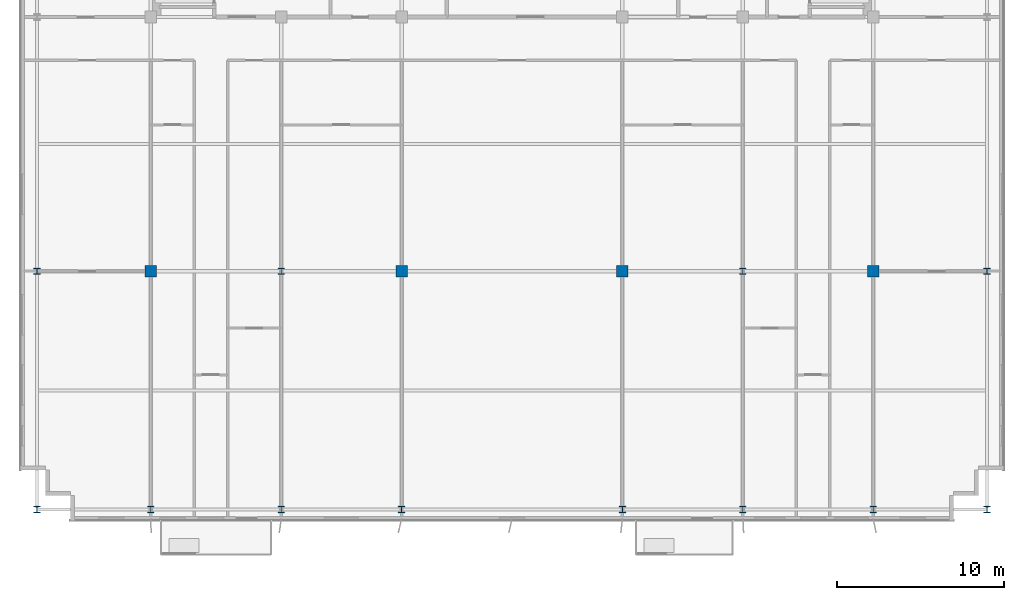
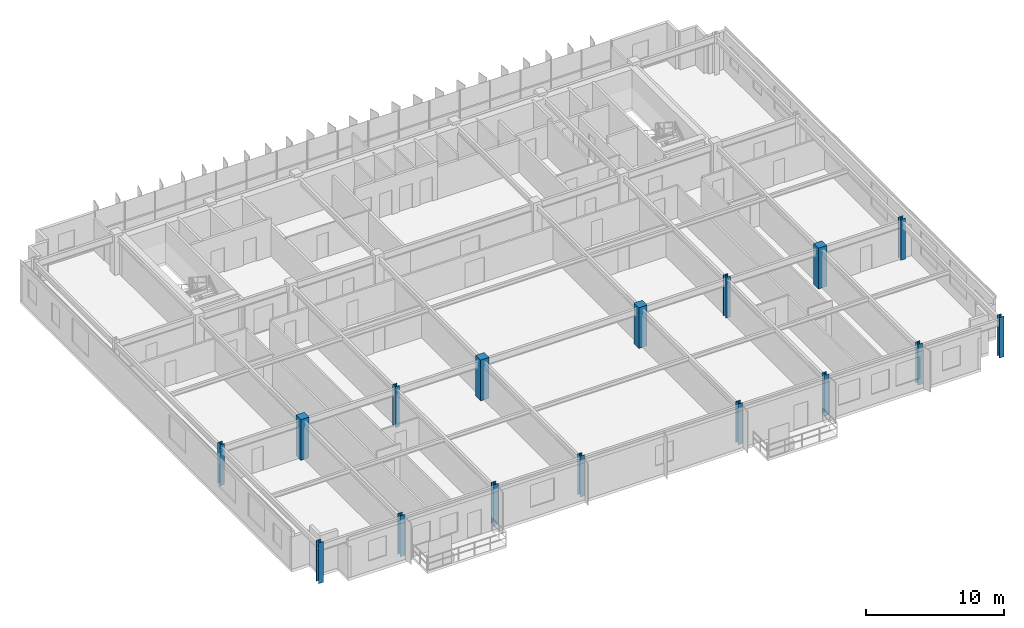
# One storey, part 1 of 20: 16 columns.
"""IFC4 building model written with IfcOpenShell, lengths in metres."""

import ifcopenshell
import ifcopenshell.guid

model = None  # the IFC model being written
_history = None  # IfcOwnerHistory: only IFC2X3 demands one
_inside = {}  # id of a spatial element -> (the spatial element, [elements in it])
_under = {}  # id of a project, library or spatial element -> (it, [spatial elements below it])
_declared = {}  # id of a project -> (the project, [libraries it declares])
_typed = {}  # id of a type object -> (the type object, [elements of that type])
_made_of = {}  # id of a material, layer set ... -> (it, [elements and type objects made of it])


def new_model(schema):
    """Start an empty IFC model of exactly this schema.

    Asked for "IFC4X3", IfcOpenShell would pick the latest addendum, in which some entities
    have other attributes; the version numbers below select the first issue.
    IFC2X3 requires an IfcOwnerHistory on every rooted entity: one is made here for all.
    """
    global model, _history
    if schema == "IFC4X3":
        model = ifcopenshell.file(schema_version=(4, 3, 0, 0))
    else:
        model = ifcopenshell.file(schema=schema)
    _inside.clear()
    _under.clear()
    _declared.clear()
    _typed.clear()
    _made_of.clear()
    _history = None
    if model.schema == "IFC2X3":
        org = make("IfcOrganization", Name="unknown")
        user = make(
            "IfcPersonAndOrganization",
            ThePerson=make("IfcPerson", FamilyName="unknown"),
            TheOrganization=org,
        )
        app = make(
            "IfcApplication",
            ApplicationDeveloper=org,
            Version="unknown",
            ApplicationFullName="unknown",
            ApplicationIdentifier="unknown",
        )
        _history = make(
            "IfcOwnerHistory",
            OwningUser=user,
            OwningApplication=app,
            ChangeAction="ADDED",
            CreationDate=0,
        )
    return model


def make(cls, **values):
    """One entity of the class cls with the attributes given. An attribute that is None is left unset."""
    return model.create_entity(
        cls, **{name: value for name, value in values.items() if value is not None}
    )


def rooted(cls, **values):
    """An entity with a GlobalId (a new one), such as an element, a storey or a relation."""
    return make(cls, GlobalId=ifcopenshell.guid.new(), OwnerHistory=_history, **values)


def si_unit(unit_type, name, prefix=None):
    """IfcSIUnit, for example si_unit("LENGTHUNIT", "METRE", prefix="MILLI")."""
    return make("IfcSIUnit", UnitType=unit_type, Prefix=prefix, Name=name)


def assignment(units):
    """IfcUnitAssignment: the units of a project."""
    return None if units is None else make("IfcUnitAssignment", Units=units)


def point(xyz):
    """IfcCartesianPoint."""
    return None if xyz is None else make("IfcCartesianPoint", Coordinates=xyz)


def direction(xyz):
    """IfcDirection."""
    return None if xyz is None else make("IfcDirection", DirectionRatios=xyz)


def frame(location, z_axis=None, x_axis=None):
    """IfcAxis2Placement3D, a coordinate frame: its origin and axes. An axis left out is left unset."""
    return make(
        "IfcAxis2Placement3D",
        Location=point(location),
        Axis=direction(z_axis),
        RefDirection=direction(x_axis),
    )


def frame_2d(location, x_axis=None):
    """IfcAxis2Placement2D, a coordinate frame in the plane: its origin and x axis."""
    return make(
        "IfcAxis2Placement2D", Location=point(location), RefDirection=direction(x_axis)
    )


def origin():
    """The frame at (0, 0, 0) with its axes left unset."""
    return frame((0.0, 0.0, 0.0))


def origin_2d():
    """The frame at (0, 0) in the plane with its x axis left unset."""
    return frame_2d((0.0, 0.0))


def place(relative_to, where):
    """IfcLocalPlacement: puts the frame where relative to a parent placement (None: the world)."""
    return make(
        "IfcLocalPlacement", PlacementRelTo=relative_to, RelativePlacement=where
    )


def context(
    kind, dimensions, precision=None, world=None, true_north=None, identifier=None
):
    """IfcGeometricRepresentationContext, for example the 3D "Model" context."""
    return make(
        "IfcGeometricRepresentationContext",
        ContextIdentifier=identifier,
        ContextType=kind,
        CoordinateSpaceDimension=dimensions,
        Precision=precision,
        WorldCoordinateSystem=world,
        TrueNorth=true_north,
    )


def subcontext(parent, identifier, kind, view, scale=None):
    """IfcGeometricRepresentationSubContext, for example "Body" below "Model"."""
    return make(
        "IfcGeometricRepresentationSubContext",
        ContextIdentifier=identifier,
        ContextType=kind,
        ParentContext=parent,
        TargetScale=scale,
        TargetView=view,
    )


def project(units=None, contexts=None):
    """IfcProject with its units and contexts."""
    return rooted(
        "IfcProject",
        Name="project",
        RepresentationContexts=contexts,
        UnitsInContext=assignment(units),
    )


def spatial(cls, under=None, at=None, **own):
    """A site, building, storey or space (cls), placed at a placement, below another one or the project."""
    s = rooted(cls, ObjectPlacement=at, **own)
    if under is not None:
        _under.setdefault(under.id(), (under, []))[1].append(s)
    return s


def profile(cls, at=None, kind="AREA", **sizes):
    """A parametric profile (cls). Its sizes go by their IFC names, for example OverallWidth=200.0."""
    return make(cls, ProfileType=kind, Position=at, **sizes)


def rectangle(**sizes):
    """IfcRectangleProfileDef."""
    return profile("IfcRectangleProfileDef", **sizes)


def i_section(**sizes):
    """IfcIShapeProfileDef."""
    return profile("IfcIShapeProfileDef", **sizes)


def extrude(swept, where, along, depth):
    """IfcExtrudedAreaSolid: the profile swept, set in the frame where, extruded along a direction by depth."""
    return make(
        "IfcExtrudedAreaSolid",
        SweptArea=swept,
        Position=where,
        ExtrudedDirection=direction(along),
        Depth=depth,
    )


def shape(context_of_items, identifier, shape_type, items):
    """IfcShapeRepresentation: the items that make up one representation, for example the "Body"."""
    return make(
        "IfcShapeRepresentation",
        ContextOfItems=context_of_items,
        RepresentationIdentifier=identifier,
        RepresentationType=shape_type,
        Items=items,
    )


def source(mapping_origin, context_of_items, identifier, shape_type, items):
    """IfcRepresentationMap: a shape defined once, which mapped items show again and again."""
    return make(
        "IfcRepresentationMap",
        MappingOrigin=mapping_origin,
        MappedRepresentation=shape(context_of_items, identifier, shape_type, items),
    )


def transform(
    local_origin,
    x_axis=None,
    y_axis=None,
    z_axis=None,
    scale=None,
    scale2=None,
    scale3=None,
    uniform=True,
):
    """IfcCartesianTransformationOperator3D, or its non-uniform kind. x_axis, y_axis, z_axis: its Axis1, 2, 3."""
    if uniform:
        return make(
            "IfcCartesianTransformationOperator3D",
            Axis1=direction(x_axis),
            Axis2=direction(y_axis),
            LocalOrigin=point(local_origin),
            Scale=scale,
            Axis3=direction(z_axis),
        )
    return make(
        "IfcCartesianTransformationOperator3DnonUniform",
        Axis1=direction(x_axis),
        Axis2=direction(y_axis),
        LocalOrigin=point(local_origin),
        Scale=scale,
        Axis3=direction(z_axis),
        Scale2=scale2,
        Scale3=scale3,
    )


def mapped(mapping_source, mapping_target):
    """IfcMappedItem: shows the shape of a source again, moved by a transform."""
    return make(
        "IfcMappedItem", MappingSource=mapping_source, MappingTarget=mapping_target
    )


def material(Name=None, Category=None):
    """IfcMaterial."""
    return make("IfcMaterial", Name=Name, Category=Category)


def material_profile(
    of_material, cross_section, Name=None, Category=None, Priority=None
):
    """IfcMaterialProfile: a cross section and its material."""
    return make(
        "IfcMaterialProfile",
        Name=Name,
        Material=of_material,
        Profile=cross_section,
        Priority=Priority,
        Category=Category,
    )


def profile_set(profiles, Name=None, composite=None):
    """IfcMaterialProfileSet."""
    return make(
        "IfcMaterialProfileSet",
        Name=Name,
        MaterialProfiles=profiles,
        CompositeProfile=composite,
    )


def made_of(thing, what):
    """Note that an element or type object is made of a material, layer set ...; save() writes the relation."""
    if what is not None:
        _made_of.setdefault(what.id(), (what, []))[1].append(thing)
    return thing


def type_object(cls, material=None, **own):
    """A type object (cls), such as IfcWallType, which elements share."""
    return made_of(rooted(cls, **own), material)


def element(
    cls,
    number,
    at=None,
    inside=None,
    cuts=None,
    type_object=None,
    material=None,
    context=None,
    identifier="Body",
    shape_type=None,
    held_by="IfcProductDefinitionShape",
    body=None,
    shapes=None,
    **own,
):
    """One element of the class cls, such as IfcWall. Its Tag is "e" and its number.

    at: its placement. inside: the storey or other place that contains it. cuts: it is an
    opening in that element (IfcRelVoidsElement). A single representation is given by context,
    identifier, shape_type and body (its items); several are given by shapes. held_by: the class
    of the entity that holds the representations. save() writes the other relations.
    """
    e = rooted(cls, Tag="e%d" % number, ObjectPlacement=at, **own)
    if body is not None:
        shapes = [shape(context, identifier, shape_type, body)]
    if shapes is not None:
        e.Representation = make(held_by, Representations=shapes)
    if inside is not None:
        _inside.setdefault(inside.id(), (inside, []))[1].append(e)
    if cuts is not None:
        rooted(
            "IfcRelVoidsElement", RelatingBuildingElement=cuts, RelatedOpeningElement=e
        )
    if type_object is not None:
        _typed.setdefault(type_object.id(), (type_object, []))[1].append(e)
    return made_of(e, material)


def aggregate(whole, parts):
    """IfcRelAggregates: a whole, such as a stair, and the parts it consists of."""
    return rooted("IfcRelAggregates", RelatingObject=whole, RelatedObjects=parts)


def save(model, path):
    """Write the relations noted so far, then the file.

    IfcRelAggregates (storeys below a building ...), IfcRelContainedInSpatialStructure (elements
    in a storey), IfcRelDefinesByType, IfcRelAssociatesMaterial and IfcRelDeclares: one each for
    every whole, place, type object, material and project.
    """
    for whole, parts in _under.values():
        aggregate(whole, parts)
    for where, things in _inside.values():
        rooted(
            "IfcRelContainedInSpatialStructure",
            RelatedElements=things,
            RelatingStructure=where,
        )
    for kind, things in _typed.values():
        rooted("IfcRelDefinesByType", RelatedObjects=things, RelatingType=kind)
    for what, things in _made_of.values():
        rooted("IfcRelAssociatesMaterial", RelatedObjects=things, RelatingMaterial=what)
    for by, libraries in _declared.values():
        rooted("IfcRelDeclares", RelatingContext=by, RelatedDefinitions=libraries)
    model.write(path)


model = new_model("IFC4")

# Units and contexts
model_context = context("Model", 3, precision=1e-05, world=origin(), true_north=direction((0.0, 1.0)))
body_context = subcontext(model_context, "Body", "Model", "MODEL_VIEW")
ifc_project = project(units=[si_unit("LENGTHUNIT", "METRE"), si_unit("AREAUNIT", "SQUARE_METRE"), si_unit("VOLUMEUNIT", "CUBIC_METRE"), si_unit("PLANEANGLEUNIT", "RADIAN"), si_unit("MASSUNIT", "GRAM", prefix="KILO")], contexts=[model_context])

# Site, building, storey
site_placement = place(None, origin())
site = spatial("IfcSite", under=ifc_project, at=site_placement, CompositionType="ELEMENT")
building_placement = place(site_placement, origin())
building = spatial("IfcBuilding", under=site, at=building_placement, Name="Trelvane Seafront Commons", CompositionType="ELEMENT")
storey_placement = place(building_placement, frame((0.0, 0.0, 142.89990234375)))
storey = spatial("IfcBuildingStorey", under=building, at=storey_placement, Name="L37", CompositionType="ELEMENT", Elevation=142.89990234375)

# Columns
ifc_material_1 = material(Name="Steel SM355 (S355)", Category="steel")
ifc_material_profile_1 = material_profile(ifc_material_1, i_section(OverallWidth=0.3798828125, OverallDepth=0.3798828125, WebThickness=0.02001953125, FlangeThickness=0.030029296875, at=origin_2d()), Name="HD-380x380x20x30")
ifc_profile_set_1 = profile_set([ifc_material_profile_1], Name="Steel SM355 (S355)")
column_type_1 = type_object("IfcColumnType", Name="STR-COL-HD380", PredefinedType="COLUMN", material=ifc_profile_set_1)
shared_shape_1 = source(origin(), body_context, "Body", "SweptSolid", [
    extrude(i_section(OverallWidth=0.3798828125, OverallDepth=0.3798828125, WebThickness=0.02001953125, FlangeThickness=0.030029296875, at=origin_2d()), origin(), (0.0, 0.0, 1.0), 3.60009765625),
])
for number, where, z_axis, x_axis, name in (
    (1, (8.800048828125, 3.949951171875, 0.0), (0.0, 0.0, 1.0), (1.0, 0.0, 0.0), "L37 Column TC-S8.8"),
    (2, (8.800048828125, 18.199951171875, 0.0), (0.0, 0.0, 1.0), (1.0, 0.0, 0.0), "L37 Column TC-M8.8"),
    (3, (15.60009765625, 3.949951171875, 0.0), (0.0, 0.0, 1.0), (1.0, 0.0, 0.0), "L37 Column TC-S15.6"),
    (4, (23.39990234375, 3.949951171875, 0.0), (0.0, 0.0, 1.0), (1.0, 0.0, 0.0), "L37 Column TC-S23.4"),
    (5, (23.39990234375, 18.199951171875, 0.0), (0.0, 0.0, 1.0), (1.0, 0.0, 0.0), "L37 Column TC-M23.4"),
    (6, (30.60009765625, 3.949951171875, 0.0), (0.0, 0.0, 1.0), (1.0, 0.0, 0.0), "L37 Column TC-S30.6"),
    (7, (43.800048828125, 3.949951171875, 0.0), (0.0, 0.0, 1.0), (1.0, 0.0, 0.0), "L37 Column TC-S43.8"),
    (8, (51.0, 3.949951171875, 0.0), (0.0, 0.0, 1.0), (1.0, 0.0, 0.0), "L37 Column TC-S51.0"),
    (9, (51.0, 18.199951171875, 0.0), (0.0, 0.0, 1.0), (1.0, 0.0, 0.0), "L37 Column TC-M51.0"),
    (10, (58.800048828125, 3.949951171875, 0.0), (0.0, 0.0, 1.0), (1.0, 0.0, 0.0), "L37 Column TC-S58.8"),
    (11, (65.60009765625, 3.949951171875, 0.0), (0.0, 0.0, 1.0), (1.0, 0.0, 0.0), "L37 Column TC-S65.6"),
    (12, (65.60009765625, 18.199951171875, 0.0), (0.0, 0.0, 1.0), (1.0, 0.0, 0.0), "L37 Column TC-M65.6"),
):
    element("IfcColumn", number, at=place(storey_placement, frame(where, z_axis=z_axis, x_axis=x_axis)), inside=storey, type_object=column_type_1, Name=name, PredefinedType="COLUMN", context=body_context, shape_type="MappedRepresentation", body=[
        mapped(shared_shape_1, transform((0.0, 0.0, 0.0), x_axis=(1.0, 0.0, 0.0), y_axis=(0.0, 1.0, 0.0), z_axis=(0.0, 0.0, 1.0), scale=1.0)),
    ])
ifc_material_2 = material(Name="Concrete C50/60", Category="concrete")
ifc_material_profile_2 = material_profile(ifc_material_2, rectangle(XDim=0.699951171875, YDim=0.699951171875, at=origin_2d()), Name="RC-700x700")
ifc_profile_set_2 = profile_set([ifc_material_profile_2], Name="Concrete C50/60")
column_type_2 = type_object("IfcColumnType", Name="STR-COL-RC700", PredefinedType="COLUMN", material=ifc_profile_set_2)
shared_shape_2 = source(origin(), body_context, "Body", "SweptSolid", [
    extrude(rectangle(XDim=0.699951171875, YDim=0.699951171875, at=origin_2d()), origin(), (0.0, 0.0, 1.0), 3.60009765625),
])
for number, where, z_axis, x_axis, name in (
    (13, (15.60009765625, 18.199951171875, 0.0), (0.0, 0.0, 1.0), (1.0, 0.0, 0.0), "L37 Column TC-M15.6"),
    (14, (30.60009765625, 18.199951171875, 0.0), (0.0, 0.0, 1.0), (1.0, 0.0, 0.0), "L37 Column TC-M30.6"),
    (15, (43.800048828125, 18.199951171875, 0.0), (0.0, 0.0, 1.0), (1.0, 0.0, 0.0), "L37 Column TC-M43.8"),
    (16, (58.800048828125, 18.199951171875, 0.0), (0.0, 0.0, 1.0), (1.0, 0.0, 0.0), "L37 Column TC-M58.8"),
):
    element("IfcColumn", number, at=place(storey_placement, frame(where, z_axis=z_axis, x_axis=x_axis)), inside=storey, type_object=column_type_2, Name=name, PredefinedType="COLUMN", context=body_context, shape_type="MappedRepresentation", body=[
        mapped(shared_shape_2, transform((0.0, 0.0, 0.0), x_axis=(1.0, 0.0, 0.0), y_axis=(0.0, 1.0, 0.0), z_axis=(0.0, 0.0, 1.0), scale=1.0)),
    ])

save(model, "model.ifc")
